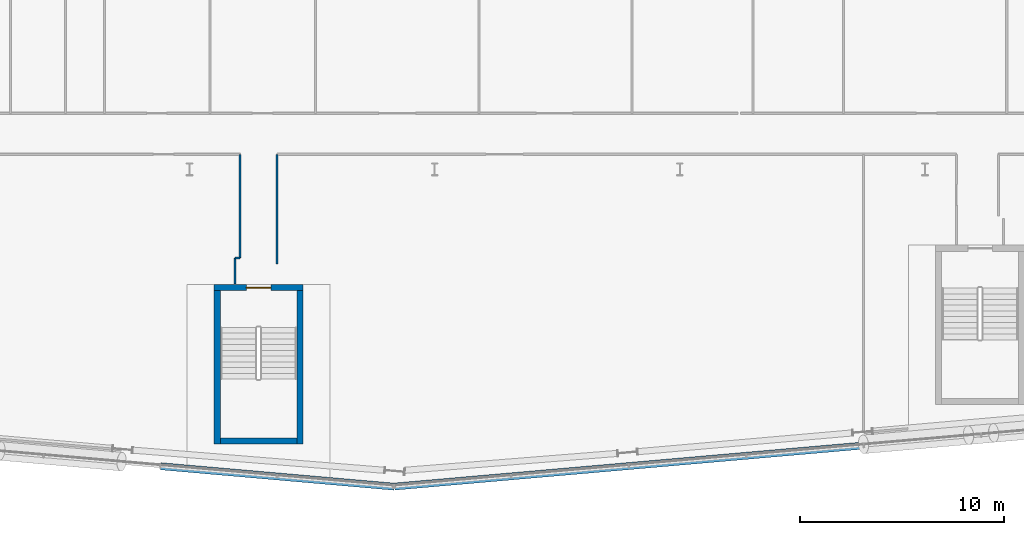
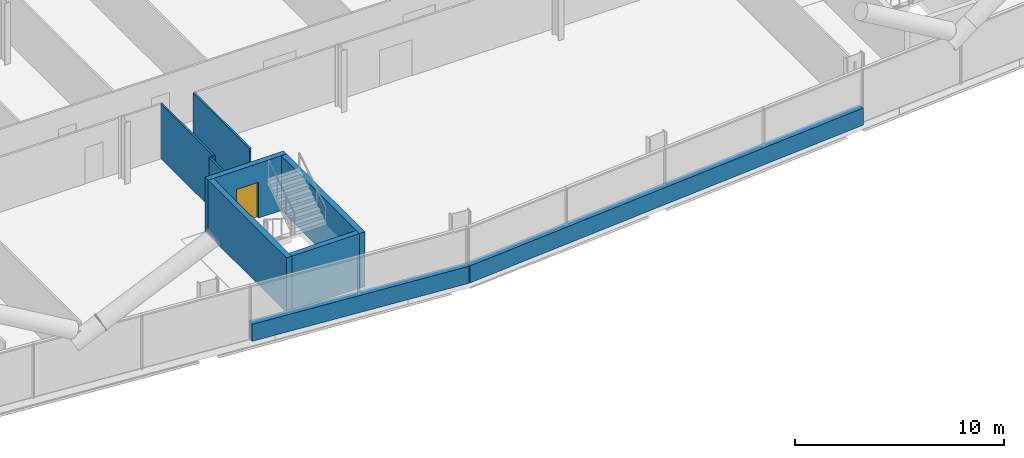
# One storey, part 14 of 27: 10 walls, 1 door, 1 opening.
"""IFC4 building model written with IfcOpenShell, lengths in metres."""

from ifc_helpers import new_model, si_unit, direction, frame, frame_2d, origin, place, context, subcontext, project, spatial, rectangle, extrude, material, layer, layer_set, type_object, element, fill, save


model = new_model("IFC4")

# Units and contexts
model_context = context("Model", 3, precision=1e-05, world=origin(), true_north=direction((0.0, 1.0)))
body_context = subcontext(model_context, "Body", "Model", "MODEL_VIEW")
ifc_project = project(units=[si_unit("LENGTHUNIT", "METRE"), si_unit("AREAUNIT", "SQUARE_METRE"), si_unit("VOLUMEUNIT", "CUBIC_METRE"), si_unit("PLANEANGLEUNIT", "RADIAN"), si_unit("MASSUNIT", "GRAM", prefix="KILO")], contexts=[model_context])

# Site, building, storey
site_placement = place(None, origin())
site = spatial("IfcSite", under=ifc_project, at=site_placement, CompositionType="ELEMENT")
building_placement = place(site_placement, origin())
building = spatial("IfcBuilding", under=site, at=building_placement, Name="Wharfspan Tower", CompositionType="ELEMENT")
storey_placement = place(building_placement, frame((0.0, 0.0, 48.699951)))
storey = spatial("IfcBuildingStorey", under=building, at=storey_placement, Name="L08", CompositionType="ELEMENT", Elevation=48.699951)

# Walls
ifc_material_1 = material(Name="Gypsum board on steel studs", Category="steel")
ifc_layer_1 = layer(ifc_material_1, 0.100098)
ifc_layer_set_1 = layer_set([ifc_layer_1], Name="Gypsum board on steel studs")
wall_type_1 = type_object("IfcWallType", Name="Compartment wall 100 EI 60", PredefinedType="PARTITIONING", material=ifc_layer_set_1)
wall_1_placement = place(storey_placement, frame((38.22998, 5.880615, 0.0), z_axis=(0.0, 0.0, 1.0), x_axis=(0.0, 1.0, 0.0)))
element("IfcWall", 1, at=wall_1_placement, inside=storey, type_object=wall_type_1, Name="Partition L08.w036", PredefinedType="PARTITIONING", context=body_context, shape_type="SweptSolid", body=[
    extrude(rectangle(XDim=1.279297, YDim=0.100098, at=frame_2d((0.639648, 0.0))), origin(), (0.0, 0.0, 1.0), 3.199951),
])
wall_2_placement = place(storey_placement, frame((38.235107, 7.159912, 0.0), z_axis=(0.0, 0.0, 1.0), x_axis=(1.0, 0.0, 0.0)))
element("IfcWall", 2, at=wall_2_placement, inside=storey, type_object=wall_type_1, Name="Partition L08.w037", PredefinedType="PARTITIONING", context=body_context, shape_type="SweptSolid", body=[
    extrude(rectangle(XDim=0.244873, YDim=0.100098, at=frame_2d((0.122559, 0.0))), origin(), (0.0, 0.0, 1.0), 3.199951),
])
wall_3_placement = place(storey_placement, frame((38.47998, 7.159912, 0.0), z_axis=(0.0, 0.0, 1.0), x_axis=(0.0, 1.0, 0.0)))
element("IfcWall", 3, at=wall_3_placement, inside=storey, type_object=wall_type_1, Name="Partition L08.w038", PredefinedType="PARTITIONING", context=body_context, shape_type="SweptSolid", body=[
    extrude(rectangle(XDim=5.075195, YDim=0.100098, at=frame_2d((2.537598, 0.0))), origin(), (0.0, 0.0, 1.0), 3.199951),
])
wall_4_placement = place(storey_placement, frame((40.284912, 6.860596, 0.0), z_axis=(0.0, 0.0, 1.0), x_axis=(0.0, 1.0, 0.0)))
element("IfcWall", 4, at=wall_4_placement, inside=storey, type_object=wall_type_1, Name="Partition L08.w039", PredefinedType="PARTITIONING", context=body_context, shape_type="SweptSolid", body=[
    extrude(rectangle(XDim=5.374512, YDim=0.100098, at=frame_2d((2.687256, 0.0))), origin(), (0.0, 0.0, 1.0), 3.199951),
])
ifc_material_2 = material(Name="Concrete C40/50", Category="concrete")
ifc_layer_2 = layer(ifc_material_2, 0.350098)
ifc_layer_set_2 = layer_set([ifc_layer_2], Name="Concrete C40/50")
wall_type_2 = type_object("IfcWallType", Name="SPANDREL EXPOSED CONCRETE 350", PredefinedType="SOLIDWALL", material=ifc_layer_set_2)
wall_5_placement = place(storey_placement, frame((34.60083, -3.032227, 0.0), z_axis=(0.0, 0.0, 1.0), x_axis=(0.996193, -0.087148, 0.0)))
element("IfcWall", 5, at=wall_5_placement, inside=storey, type_object=wall_type_2, Name="Spandrel upstand L08 S1 2", PredefinedType="SOLIDWALL", context=body_context, shape_type="SweptSolid", body=[
    extrude(rectangle(XDim=11.458008, YDim=0.350098, at=frame_2d((5.729004, 0.0))), origin(), (0.0, 0.0, 1.0), 1.0),
])
wall_6_placement = place(storey_placement, frame((46.04541, -4.025635, 0.0), z_axis=(0.0, 0.0, 1.0), x_axis=(0.99619, 0.087163, 0.0)))
element("IfcWall", 6, at=wall_6_placement, inside=storey, type_object=wall_type_2, Name="Spandrel upstand L08 S2 1", PredefinedType="SOLIDWALL", context=body_context, shape_type="SweptSolid", body=[
    extrude(rectangle(XDim=23.012695, YDim=0.350098, at=frame_2d((11.506348, 0.0))), origin(), (0.0, 0.0, 1.0), 1.0),
])

# Wall, opening, door
ifc_layer_3 = layer(ifc_material_2, 0.300049)
ifc_layer_set_3 = layer_set([ifc_layer_3], Name="Concrete C40/50")
wall_type_3 = type_object("IfcWallType", Name="Stair core wall 300", PredefinedType="SHEAR", material=ifc_layer_set_3)
wall_7_placement = place(storey_placement, frame((37.208252, 5.710693, 0.0), z_axis=(0.0, 0.0, 1.0), x_axis=(1.0, 0.0, 0.0)))
wall_7 = element("IfcWall", 7, at=wall_7_placement, inside=storey, type_object=wall_type_3, Name="ST4 stair enclosure wall L08", PredefinedType="SHEAR", context=body_context, shape_type="SweptSolid", body=[
    extrude(rectangle(XDim=4.350098, YDim=0.300049, at=frame_2d((2.175049, 0.0))), origin(), (0.0, 0.0, 1.0), 3.199951),
])
opening_placement = place(wall_7_placement, frame((1.574951, 0.0, 0.0)))
opening = element("IfcOpeningElement", 8, at=opening_placement, cuts=wall_7, Name="Opening SD4.L08", PredefinedType="OPENING", context=body_context, shape_type="SweptSolid", body=[
    extrude(rectangle(XDim=1.199951, YDim=2.100098, at=frame_2d((0.600098, 1.050049))), frame((0.0, 0.159912, 0.0), z_axis=(0.0, -1.0, 0.0), x_axis=(1.0, 0.0, 0.0)), (0.0, 0.0, 1.0), 0.320068),
])
ifc_material_3 = material(Name="Steel door leaf", Category="steel")
door_type = type_object("IfcDoorType", Name="Stair door 1200x2100", OperationType="SINGLE_SWING_LEFT", PredefinedType="DOOR", material=ifc_material_3)
door_placement = place(opening_placement, origin())
door = element("IfcDoor", 9, at=door_placement, inside=storey, type_object=door_type, Name="sd:L08:ST4z1", OperationType="SINGLE_SWING_RIGHT", OverallHeight=2.100098, OverallWidth=1.199951, PredefinedType="DOOR", context=body_context, shape_type="SweptSolid", body=[
    extrude(rectangle(XDim=1.199951, YDim=2.100098, at=frame_2d((0.600098, 1.050049))), frame((0.0, 0.024902, 0.0), z_axis=(0.0, -1.0, 0.0), x_axis=(1.0, 0.0, 0.0)), (0.0, 0.0, 1.0), 0.050049),
])
fill(opening, door)

# Walls
for number, where, z_axis, x_axis, name in (
    (10, (37.358398, -1.939453, 0.0), (0.0, 0.0, 1.0), (0.0, 1.0, 0.0), "ST4 stair enclosure wall L08"),
    (11, (41.408203, -1.939453, 0.0), (0.0, 0.0, 1.0), (0.0, 1.0, 0.0), "ST4 stair enclosure wall L08"),
):
    element("IfcWall", number, at=place(storey_placement, frame(where, z_axis=z_axis, x_axis=x_axis)), inside=storey, type_object=wall_type_3, Name=name, PredefinedType="SHEAR", context=body_context, shape_type="SweptSolid", body=[
        extrude(rectangle(XDim=7.5, YDim=0.300049, at=frame_2d((3.75, 0.0))), origin(), (0.0, 0.0, 1.0), 3.199951),
    ])
wall_8_placement = place(storey_placement, frame((37.508301, -1.789307, 0.0), z_axis=(0.0, 0.0, 1.0), x_axis=(1.0, 0.0, 0.0)))
element("IfcWall", 12, at=wall_8_placement, inside=storey, type_object=wall_type_3, Name="ST4 stair enclosure wall L08", PredefinedType="SHEAR", context=body_context, shape_type="SweptSolid", body=[
    extrude(rectangle(XDim=3.75, YDim=0.300049, at=frame_2d((1.875, 0.0))), origin(), (0.0, 0.0, 1.0), 3.199951),
])

save(model, "model.ifc")
